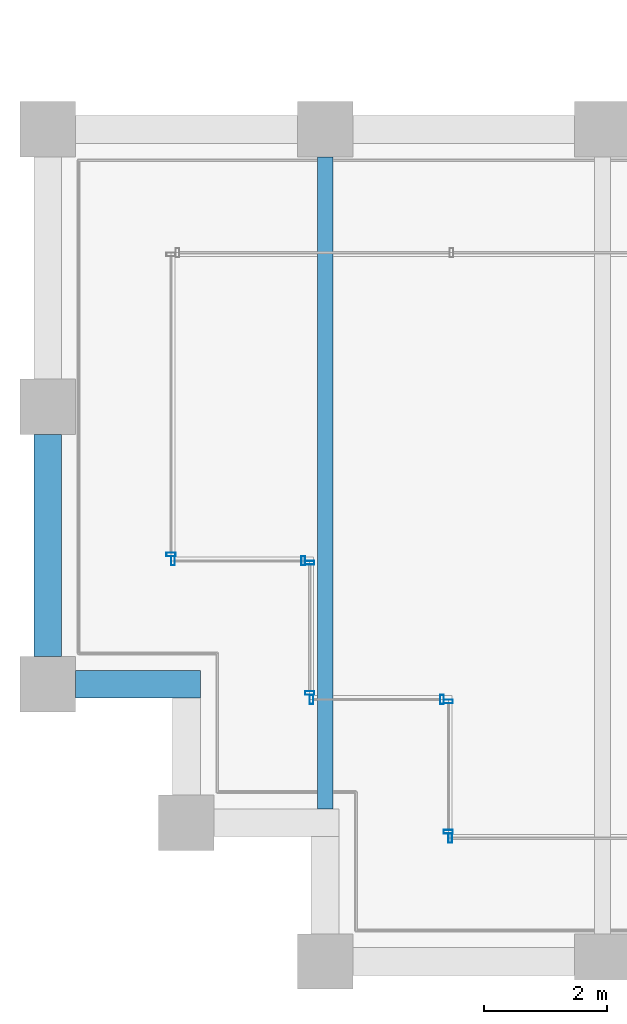
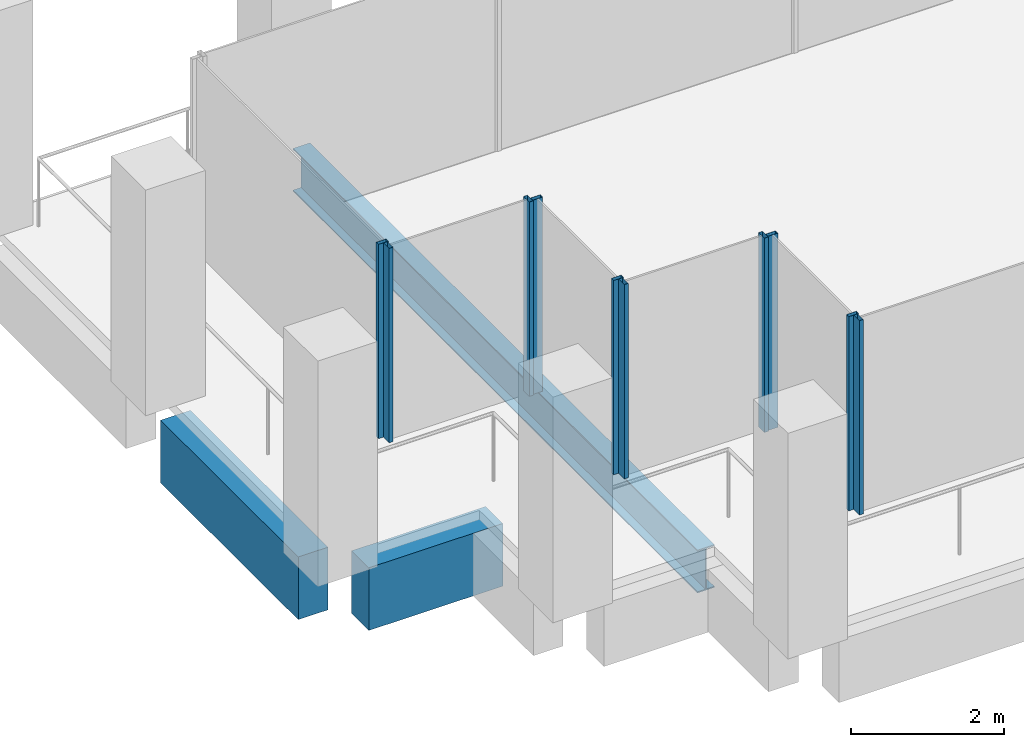
# One storey, part 2 of 40: 10 members, 3 beams, 6 elements without a shape of their own.
"""IFC4 building model written with IfcOpenShell, lengths in metres."""

import ifcopenshell
import ifcopenshell.guid

model = None  # the IFC model being written
_history = None  # IfcOwnerHistory: only IFC2X3 demands one
_inside = {}  # id of a spatial element -> (the spatial element, [elements in it])
_under = {}  # id of a project, library or spatial element -> (it, [spatial elements below it])
_declared = {}  # id of a project -> (the project, [libraries it declares])
_typed = {}  # id of a type object -> (the type object, [elements of that type])
_made_of = {}  # id of a material, layer set ... -> (it, [elements and type objects made of it])


def new_model(schema):
    """Start an empty IFC model of exactly this schema.

    Asked for "IFC4X3", IfcOpenShell would pick the latest addendum, in which some entities
    have other attributes; the version numbers below select the first issue.
    IFC2X3 requires an IfcOwnerHistory on every rooted entity: one is made here for all.
    """
    global model, _history
    if schema == "IFC4X3":
        model = ifcopenshell.file(schema_version=(4, 3, 0, 0))
    else:
        model = ifcopenshell.file(schema=schema)
    _inside.clear()
    _under.clear()
    _declared.clear()
    _typed.clear()
    _made_of.clear()
    _history = None
    if model.schema == "IFC2X3":
        org = make("IfcOrganization", Name="unknown")
        user = make(
            "IfcPersonAndOrganization",
            ThePerson=make("IfcPerson", FamilyName="unknown"),
            TheOrganization=org,
        )
        app = make(
            "IfcApplication",
            ApplicationDeveloper=org,
            Version="unknown",
            ApplicationFullName="unknown",
            ApplicationIdentifier="unknown",
        )
        _history = make(
            "IfcOwnerHistory",
            OwningUser=user,
            OwningApplication=app,
            ChangeAction="ADDED",
            CreationDate=0,
        )
    return model


def make(cls, **values):
    """One entity of the class cls with the attributes given. An attribute that is None is left unset."""
    return model.create_entity(
        cls, **{name: value for name, value in values.items() if value is not None}
    )


def rooted(cls, **values):
    """An entity with a GlobalId (a new one), such as an element, a storey or a relation."""
    return make(cls, GlobalId=ifcopenshell.guid.new(), OwnerHistory=_history, **values)


def si_unit(unit_type, name, prefix=None):
    """IfcSIUnit, for example si_unit("LENGTHUNIT", "METRE", prefix="MILLI")."""
    return make("IfcSIUnit", UnitType=unit_type, Prefix=prefix, Name=name)


def assignment(units):
    """IfcUnitAssignment: the units of a project."""
    return None if units is None else make("IfcUnitAssignment", Units=units)


def point(xyz):
    """IfcCartesianPoint."""
    return None if xyz is None else make("IfcCartesianPoint", Coordinates=xyz)


def direction(xyz):
    """IfcDirection."""
    return None if xyz is None else make("IfcDirection", DirectionRatios=xyz)


def frame(location, z_axis=None, x_axis=None):
    """IfcAxis2Placement3D, a coordinate frame: its origin and axes. An axis left out is left unset."""
    return make(
        "IfcAxis2Placement3D",
        Location=point(location),
        Axis=direction(z_axis),
        RefDirection=direction(x_axis),
    )


def frame_2d(location, x_axis=None):
    """IfcAxis2Placement2D, a coordinate frame in the plane: its origin and x axis."""
    return make(
        "IfcAxis2Placement2D", Location=point(location), RefDirection=direction(x_axis)
    )


def origin():
    """The frame at (0, 0, 0) with its axes left unset."""
    return frame((0.0, 0.0, 0.0))


def origin_2d():
    """The frame at (0, 0) in the plane with its x axis left unset."""
    return frame_2d((0.0, 0.0))


def place(relative_to, where):
    """IfcLocalPlacement: puts the frame where relative to a parent placement (None: the world)."""
    return make(
        "IfcLocalPlacement", PlacementRelTo=relative_to, RelativePlacement=where
    )


def context(
    kind, dimensions, precision=None, world=None, true_north=None, identifier=None
):
    """IfcGeometricRepresentationContext, for example the 3D "Model" context."""
    return make(
        "IfcGeometricRepresentationContext",
        ContextIdentifier=identifier,
        ContextType=kind,
        CoordinateSpaceDimension=dimensions,
        Precision=precision,
        WorldCoordinateSystem=world,
        TrueNorth=true_north,
    )


def subcontext(parent, identifier, kind, view, scale=None):
    """IfcGeometricRepresentationSubContext, for example "Body" below "Model"."""
    return make(
        "IfcGeometricRepresentationSubContext",
        ContextIdentifier=identifier,
        ContextType=kind,
        ParentContext=parent,
        TargetScale=scale,
        TargetView=view,
    )


def project(units=None, contexts=None):
    """IfcProject with its units and contexts."""
    return rooted(
        "IfcProject",
        Name="project",
        RepresentationContexts=contexts,
        UnitsInContext=assignment(units),
    )


def spatial(cls, under=None, at=None, **own):
    """A site, building, storey or space (cls), placed at a placement, below another one or the project."""
    s = rooted(cls, ObjectPlacement=at, **own)
    if under is not None:
        _under.setdefault(under.id(), (under, []))[1].append(s)
    return s


def profile(cls, at=None, kind="AREA", **sizes):
    """A parametric profile (cls). Its sizes go by their IFC names, for example OverallWidth=200.0."""
    return make(cls, ProfileType=kind, Position=at, **sizes)


def rectangle(**sizes):
    """IfcRectangleProfileDef."""
    return profile("IfcRectangleProfileDef", **sizes)


def hollow_rectangle(**sizes):
    """IfcRectangleHollowProfileDef."""
    return profile("IfcRectangleHollowProfileDef", **sizes)


def i_section(**sizes):
    """IfcIShapeProfileDef."""
    return profile("IfcIShapeProfileDef", **sizes)


def extrude(swept, where, along, depth):
    """IfcExtrudedAreaSolid: the profile swept, set in the frame where, extruded along a direction by depth."""
    return make(
        "IfcExtrudedAreaSolid",
        SweptArea=swept,
        Position=where,
        ExtrudedDirection=direction(along),
        Depth=depth,
    )


def shape(context_of_items, identifier, shape_type, items):
    """IfcShapeRepresentation: the items that make up one representation, for example the "Body"."""
    return make(
        "IfcShapeRepresentation",
        ContextOfItems=context_of_items,
        RepresentationIdentifier=identifier,
        RepresentationType=shape_type,
        Items=items,
    )


def material(Name=None, Category=None):
    """IfcMaterial."""
    return make("IfcMaterial", Name=Name, Category=Category)


def material_profile(
    of_material, cross_section, Name=None, Category=None, Priority=None
):
    """IfcMaterialProfile: a cross section and its material."""
    return make(
        "IfcMaterialProfile",
        Name=Name,
        Material=of_material,
        Profile=cross_section,
        Priority=Priority,
        Category=Category,
    )


def profile_set(profiles, Name=None, composite=None):
    """IfcMaterialProfileSet."""
    return make(
        "IfcMaterialProfileSet",
        Name=Name,
        MaterialProfiles=profiles,
        CompositeProfile=composite,
    )


def made_of(thing, what):
    """Note that an element or type object is made of a material, layer set ...; save() writes the relation."""
    if what is not None:
        _made_of.setdefault(what.id(), (what, []))[1].append(thing)
    return thing


def type_object(cls, material=None, **own):
    """A type object (cls), such as IfcWallType, which elements share."""
    return made_of(rooted(cls, **own), material)


def element(
    cls,
    number,
    at=None,
    inside=None,
    cuts=None,
    type_object=None,
    material=None,
    context=None,
    identifier="Body",
    shape_type=None,
    held_by="IfcProductDefinitionShape",
    body=None,
    shapes=None,
    **own,
):
    """One element of the class cls, such as IfcWall. Its Tag is "e" and its number.

    at: its placement. inside: the storey or other place that contains it. cuts: it is an
    opening in that element (IfcRelVoidsElement). A single representation is given by context,
    identifier, shape_type and body (its items); several are given by shapes. held_by: the class
    of the entity that holds the representations. save() writes the other relations.
    """
    e = rooted(cls, Tag="e%d" % number, ObjectPlacement=at, **own)
    if body is not None:
        shapes = [shape(context, identifier, shape_type, body)]
    if shapes is not None:
        e.Representation = make(held_by, Representations=shapes)
    if inside is not None:
        _inside.setdefault(inside.id(), (inside, []))[1].append(e)
    if cuts is not None:
        rooted(
            "IfcRelVoidsElement", RelatingBuildingElement=cuts, RelatedOpeningElement=e
        )
    if type_object is not None:
        _typed.setdefault(type_object.id(), (type_object, []))[1].append(e)
    return made_of(e, material)


def aggregate(whole, parts):
    """IfcRelAggregates: a whole, such as a stair, and the parts it consists of."""
    return rooted("IfcRelAggregates", RelatingObject=whole, RelatedObjects=parts)


def save(model, path):
    """Write the relations noted so far, then the file.

    IfcRelAggregates (storeys below a building ...), IfcRelContainedInSpatialStructure (elements
    in a storey), IfcRelDefinesByType, IfcRelAssociatesMaterial and IfcRelDeclares: one each for
    every whole, place, type object, material and project.
    """
    for whole, parts in _under.values():
        aggregate(whole, parts)
    for where, things in _inside.values():
        rooted(
            "IfcRelContainedInSpatialStructure",
            RelatedElements=things,
            RelatingStructure=where,
        )
    for kind, things in _typed.values():
        rooted("IfcRelDefinesByType", RelatedObjects=things, RelatingType=kind)
    for what, things in _made_of.values():
        rooted("IfcRelAssociatesMaterial", RelatedObjects=things, RelatingMaterial=what)
    for by, libraries in _declared.values():
        rooted("IfcRelDeclares", RelatingContext=by, RelatedDefinitions=libraries)
    model.write(path)


model = new_model("IFC4")

# Units and contexts
model_context = context("Model", 3, precision=1e-05, world=origin(), true_north=direction((0.0, 1.0)))
body_context = subcontext(model_context, "Body", "Model", "MODEL_VIEW")
ifc_project = project(units=[si_unit("LENGTHUNIT", "METRE"), si_unit("AREAUNIT", "SQUARE_METRE"), si_unit("VOLUMEUNIT", "CUBIC_METRE"), si_unit("PLANEANGLEUNIT", "RADIAN"), si_unit("MASSUNIT", "GRAM", prefix="KILO")], contexts=[model_context])

# Site, building, storey
site_placement = place(None, origin())
site = spatial("IfcSite", under=ifc_project, at=site_placement, CompositionType="ELEMENT")
building_placement = place(site_placement, origin())
building = spatial("IfcBuilding", under=site, at=building_placement, Name="Altepetl Exchange Towers", CompositionType="ELEMENT")
storey_placement = place(building_placement, frame((0.0, 0.0, 176.199951171875)))
storey = spatial("IfcBuildingStorey", under=building, at=storey_placement, Name="L44", CompositionType="ELEMENT", Elevation=176.199951171875)

# Beam
ifc_material_1 = material(Name="Steel S355", Category="steel")
ifc_material_profile_1 = material_profile(ifc_material_1, i_section(OverallWidth=0.25390625, OverallDepth=0.68408203125, WebThickness=0.012451171875, FlangeThickness=0.018798828125, at=origin_2d()), Name="W27X94")
ifc_profile_set_1 = profile_set([ifc_material_profile_1], Name="Steel S355")
beam_type_1 = type_object("IfcBeamType", Name="Floor beam W27X94", PredefinedType="BEAM", material=ifc_profile_set_1)
beam_1_placement = place(storey_placement, frame((31.5, 29.47509765625, -0.491943359375), z_axis=(0.0, 1.0, 0.0), x_axis=(-1.0, 0.0, 0.0)))
element("IfcBeam", 1, at=beam_1_placement, inside=storey, type_object=beam_type_1, Name="bm:A:L44:012", PredefinedType="BEAM", context=body_context, shape_type="SweptSolid", body=[
    extrude(i_section(OverallWidth=0.25390625, OverallDepth=0.68408203125, WebThickness=0.012451171875, FlangeThickness=0.018798828125, at=origin_2d()), origin(), (0.0, 0.0, 1.0), 10.574951171875),
])

# Curtain wall, member
ifc_material_2 = material(Name="Aluminium 6063-T6 glazing", Category="aluminium")
curtain_wall_type = type_object("IfcCurtainWallType", Name="Loggia glazing system", PredefinedType="NOTDEFINED", material=ifc_material_2)
curtain_wall_1_placement = place(storey_placement, origin())
curtain_wall_1 = element("IfcCurtainWall", 2, at=curtain_wall_1_placement, inside=storey, type_object=curtain_wall_type, Name="CW1 run", PredefinedType="NOTDEFINED")
ifc_material_3 = material(Name="Aluminium 6063-T6", Category="aluminium")
ifc_material_profile_2 = material_profile(ifc_material_3, hollow_rectangle(XDim=0.06005859375, YDim=0.14990234375, WallThickness=0.0029296875, at=origin_2d()), Name="Mullion 60x150 aluminium")
ifc_profile_set_2 = profile_set([ifc_material_profile_2], Name="Aluminium 6063-T6")
member_type = type_object("IfcMemberType", Name="Mullion 60x150 aluminium", PredefinedType="MULLION", material=ifc_profile_set_2)
member_1_placement = place(storey_placement, frame((29.0, 33.60498046875, 0.0), z_axis=(0.0, 0.0, 1.0), x_axis=(0.0, -1.0, 0.0)))
member_1 = element("IfcMember", 3, at=member_1_placement, type_object=member_type, Name="MU1 mullion", PredefinedType="MULLION", context=body_context, shape_type="SweptSolid", body=[
    extrude(hollow_rectangle(XDim=0.06005859375, YDim=0.14990234375, WallThickness=0.0029296875, at=origin_2d()), origin(), (0.0, 0.0, 1.0), 3.10009765625),
])
aggregate(curtain_wall_1, [member_1])

# Curtain wall, members
curtain_wall_2_placement = place(storey_placement, origin())
curtain_wall_2 = element("IfcCurtainWall", 4, at=curtain_wall_2_placement, inside=storey, type_object=curtain_wall_type, Name="CW1 run", PredefinedType="NOTDEFINED")
member_2_placement = place(storey_placement, frame((29.030029296875, 33.5, 0.0)))
member_2 = element("IfcMember", 5, at=member_2_placement, type_object=member_type, Name="MU1 mullion", PredefinedType="MULLION", context=body_context, shape_type="SweptSolid", body=[
    extrude(hollow_rectangle(XDim=0.06005859375, YDim=0.14990234375, WallThickness=0.0029296875, at=origin_2d()), origin(), (0.0, 0.0, 1.0), 3.10009765625),
])
member_3_placement = place(storey_placement, frame((31.14501953125, 33.5, 0.0)))
member_3 = element("IfcMember", 6, at=member_3_placement, type_object=member_type, Name="MU1 mullion", PredefinedType="MULLION", context=body_context, shape_type="SweptSolid", body=[
    extrude(hollow_rectangle(XDim=0.06005859375, YDim=0.14990234375, WallThickness=0.0029296875, at=origin_2d()), origin(), (0.0, 0.0, 1.0), 3.10009765625),
])
aggregate(curtain_wall_2, [member_2, member_3])

curtain_wall_3_placement = place(storey_placement, origin())
curtain_wall_3 = element("IfcCurtainWall", 7, at=curtain_wall_3_placement, inside=storey, type_object=curtain_wall_type, Name="CW1 run", PredefinedType="NOTDEFINED")
member_4_placement = place(storey_placement, frame((31.25, 33.469970703125, 0.0), z_axis=(0.0, 0.0, 1.0), x_axis=(0.0, -1.0, 0.0)))
member_4 = element("IfcMember", 8, at=member_4_placement, type_object=member_type, Name="MU1 mullion", PredefinedType="MULLION", context=body_context, shape_type="SweptSolid", body=[
    extrude(hollow_rectangle(XDim=0.06005859375, YDim=0.14990234375, WallThickness=0.0029296875, at=origin_2d()), origin(), (0.0, 0.0, 1.0), 3.10009765625),
])
member_5_placement = place(storey_placement, frame((31.25, 31.35498046875, 0.0), z_axis=(0.0, 0.0, 1.0), x_axis=(0.0, -1.0, 0.0)))
member_5 = element("IfcMember", 9, at=member_5_placement, type_object=member_type, Name="MU1 mullion", PredefinedType="MULLION", context=body_context, shape_type="SweptSolid", body=[
    extrude(hollow_rectangle(XDim=0.06005859375, YDim=0.14990234375, WallThickness=0.0029296875, at=origin_2d()), origin(), (0.0, 0.0, 1.0), 3.10009765625),
])
aggregate(curtain_wall_3, [member_4, member_5])

curtain_wall_4_placement = place(storey_placement, origin())
curtain_wall_4 = element("IfcCurtainWall", 10, at=curtain_wall_4_placement, inside=storey, type_object=curtain_wall_type, Name="CW1 run", PredefinedType="NOTDEFINED")
member_6_placement = place(storey_placement, frame((31.280029296875, 31.25, 0.0)))
member_6 = element("IfcMember", 11, at=member_6_placement, type_object=member_type, Name="MU1 mullion", PredefinedType="MULLION", context=body_context, shape_type="SweptSolid", body=[
    extrude(hollow_rectangle(XDim=0.06005859375, YDim=0.14990234375, WallThickness=0.0029296875, at=origin_2d()), origin(), (0.0, 0.0, 1.0), 3.10009765625),
])
member_7_placement = place(storey_placement, frame((33.39501953125, 31.25, 0.0)))
member_7 = element("IfcMember", 12, at=member_7_placement, type_object=member_type, Name="MU1 mullion", PredefinedType="MULLION", context=body_context, shape_type="SweptSolid", body=[
    extrude(hollow_rectangle(XDim=0.06005859375, YDim=0.14990234375, WallThickness=0.0029296875, at=origin_2d()), origin(), (0.0, 0.0, 1.0), 3.10009765625),
])
aggregate(curtain_wall_4, [member_6, member_7])

curtain_wall_5_placement = place(storey_placement, origin())
curtain_wall_5 = element("IfcCurtainWall", 13, at=curtain_wall_5_placement, inside=storey, type_object=curtain_wall_type, Name="CW1 run", PredefinedType="NOTDEFINED")
member_8_placement = place(storey_placement, frame((33.5, 31.219970703125, 0.0), z_axis=(0.0, 0.0, 1.0), x_axis=(0.0, -1.0, 0.0)))
member_8 = element("IfcMember", 14, at=member_8_placement, type_object=member_type, Name="MU1 mullion", PredefinedType="MULLION", context=body_context, shape_type="SweptSolid", body=[
    extrude(hollow_rectangle(XDim=0.06005859375, YDim=0.14990234375, WallThickness=0.0029296875, at=origin_2d()), origin(), (0.0, 0.0, 1.0), 3.10009765625),
])
member_9_placement = place(storey_placement, frame((33.5, 29.10498046875, 0.0), z_axis=(0.0, 0.0, 1.0), x_axis=(0.0, -1.0, 0.0)))
member_9 = element("IfcMember", 15, at=member_9_placement, type_object=member_type, Name="MU1 mullion", PredefinedType="MULLION", context=body_context, shape_type="SweptSolid", body=[
    extrude(hollow_rectangle(XDim=0.06005859375, YDim=0.14990234375, WallThickness=0.0029296875, at=origin_2d()), origin(), (0.0, 0.0, 1.0), 3.10009765625),
])
aggregate(curtain_wall_5, [member_8, member_9])

# Curtain wall, member
curtain_wall_6_placement = place(storey_placement, origin())
curtain_wall_6 = element("IfcCurtainWall", 16, at=curtain_wall_6_placement, inside=storey, type_object=curtain_wall_type, Name="CW1 run", PredefinedType="NOTDEFINED")
member_10_placement = place(storey_placement, frame((33.530029296875, 29.0, 0.0)))
member_10 = element("IfcMember", 17, at=member_10_placement, type_object=member_type, Name="MU1 mullion", PredefinedType="MULLION", context=body_context, shape_type="SweptSolid", body=[
    extrude(hollow_rectangle(XDim=0.06005859375, YDim=0.14990234375, WallThickness=0.0029296875, at=origin_2d()), origin(), (0.0, 0.0, 1.0), 3.10009765625),
])
aggregate(curtain_wall_6, [member_10])

# Beams
ifc_material_4 = material(Name="Concrete C50/60 precast with cantera blanca facing", Category="concrete")
ifc_material_profile_3 = material_profile(ifc_material_4, rectangle(XDim=0.449951171875, YDim=1.0, at=origin_2d()), Name="450 x 1000")
ifc_profile_set_3 = profile_set([ifc_material_profile_3], Name="Concrete C50/60 precast with cantera blanca facing")
beam_type_2 = type_object("IfcBeamType", Name="Spandrel beam 450x1000 cantera blanca", PredefinedType="SPANDREL", material=ifc_profile_set_3)
beam_2_placement = place(storey_placement, frame((27.0, 35.550048828125, -0.64990234375), z_axis=(0.0, -1.0, 0.0), x_axis=(1.0, 0.0, 0.0)))
element("IfcBeam", 18, at=beam_2_placement, inside=storey, type_object=beam_type_2, Name="sp:A:L44:037", PredefinedType="SPANDREL", context=body_context, shape_type="SweptSolid", body=[
    extrude(rectangle(XDim=0.449951171875, YDim=1.0, at=origin_2d()), origin(), (0.0, 0.0, 1.0), 3.60009765625),
])
beam_3_placement = place(storey_placement, frame((27.449951171875, 31.5, -0.64990234375), z_axis=(1.0, 0.0, 0.0), x_axis=(0.0, 1.0, 0.0)))
element("IfcBeam", 19, at=beam_3_placement, inside=storey, type_object=beam_type_2, Name="sp:A:L44:038", PredefinedType="SPANDREL", context=body_context, shape_type="SweptSolid", body=[
    extrude(rectangle(XDim=0.449951171875, YDim=1.0, at=origin_2d()), origin(), (0.0, 0.0, 1.0), 2.025146484375),
])

save(model, "model.ifc")
